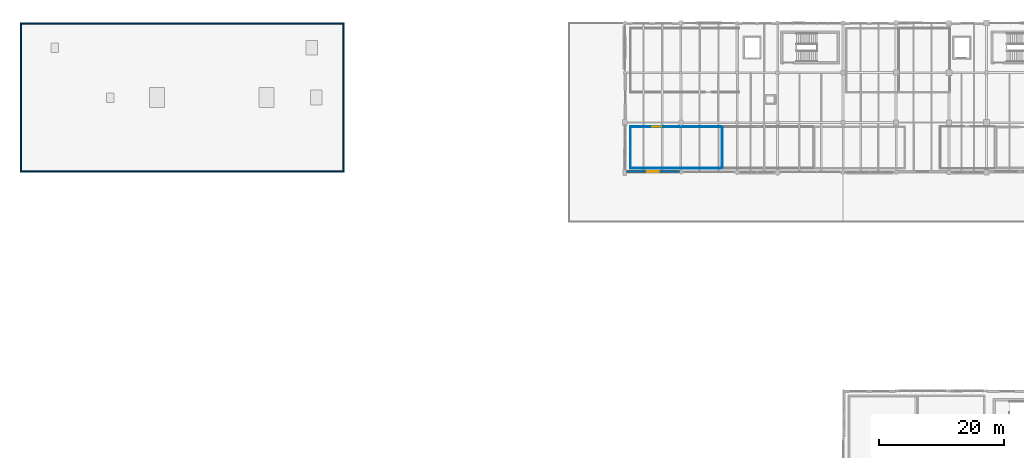
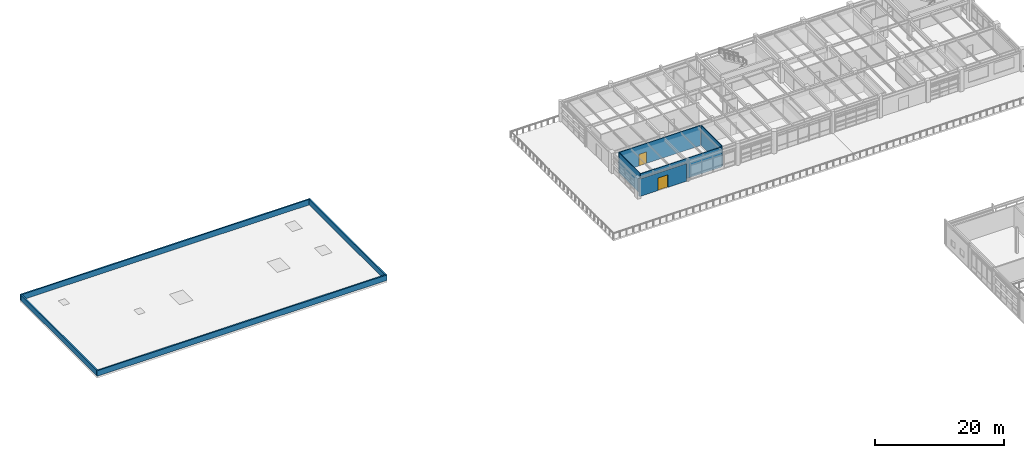
# One storey, part 47 of 56: 9 walls, 2 doors, 2 openings.
"""IFC4 building model written with IfcOpenShell, lengths in metres."""

import ifcopenshell
import ifcopenshell.guid

model = None  # the IFC model being written
_history = None  # IfcOwnerHistory: only IFC2X3 demands one
_inside = {}  # id of a spatial element -> (the spatial element, [elements in it])
_under = {}  # id of a project, library or spatial element -> (it, [spatial elements below it])
_declared = {}  # id of a project -> (the project, [libraries it declares])
_typed = {}  # id of a type object -> (the type object, [elements of that type])
_made_of = {}  # id of a material, layer set ... -> (it, [elements and type objects made of it])


def new_model(schema):
    """Start an empty IFC model of exactly this schema.

    Asked for "IFC4X3", IfcOpenShell would pick the latest addendum, in which some entities
    have other attributes; the version numbers below select the first issue.
    IFC2X3 requires an IfcOwnerHistory on every rooted entity: one is made here for all.
    """
    global model, _history
    if schema == "IFC4X3":
        model = ifcopenshell.file(schema_version=(4, 3, 0, 0))
    else:
        model = ifcopenshell.file(schema=schema)
    _inside.clear()
    _under.clear()
    _declared.clear()
    _typed.clear()
    _made_of.clear()
    _history = None
    if model.schema == "IFC2X3":
        org = make("IfcOrganization", Name="unknown")
        user = make(
            "IfcPersonAndOrganization",
            ThePerson=make("IfcPerson", FamilyName="unknown"),
            TheOrganization=org,
        )
        app = make(
            "IfcApplication",
            ApplicationDeveloper=org,
            Version="unknown",
            ApplicationFullName="unknown",
            ApplicationIdentifier="unknown",
        )
        _history = make(
            "IfcOwnerHistory",
            OwningUser=user,
            OwningApplication=app,
            ChangeAction="ADDED",
            CreationDate=0,
        )
    return model


def make(cls, **values):
    """One entity of the class cls with the attributes given. An attribute that is None is left unset."""
    return model.create_entity(
        cls, **{name: value for name, value in values.items() if value is not None}
    )


def rooted(cls, **values):
    """An entity with a GlobalId (a new one), such as an element, a storey or a relation."""
    return make(cls, GlobalId=ifcopenshell.guid.new(), OwnerHistory=_history, **values)


def si_unit(unit_type, name, prefix=None):
    """IfcSIUnit, for example si_unit("LENGTHUNIT", "METRE", prefix="MILLI")."""
    return make("IfcSIUnit", UnitType=unit_type, Prefix=prefix, Name=name)


def assignment(units):
    """IfcUnitAssignment: the units of a project."""
    return None if units is None else make("IfcUnitAssignment", Units=units)


def point(xyz):
    """IfcCartesianPoint."""
    return None if xyz is None else make("IfcCartesianPoint", Coordinates=xyz)


def direction(xyz):
    """IfcDirection."""
    return None if xyz is None else make("IfcDirection", DirectionRatios=xyz)


def frame(location, z_axis=None, x_axis=None):
    """IfcAxis2Placement3D, a coordinate frame: its origin and axes. An axis left out is left unset."""
    return make(
        "IfcAxis2Placement3D",
        Location=point(location),
        Axis=direction(z_axis),
        RefDirection=direction(x_axis),
    )


def frame_2d(location, x_axis=None):
    """IfcAxis2Placement2D, a coordinate frame in the plane: its origin and x axis."""
    return make(
        "IfcAxis2Placement2D", Location=point(location), RefDirection=direction(x_axis)
    )


def origin():
    """The frame at (0, 0, 0) with its axes left unset."""
    return frame((0.0, 0.0, 0.0))


def place(relative_to, where):
    """IfcLocalPlacement: puts the frame where relative to a parent placement (None: the world)."""
    return make(
        "IfcLocalPlacement", PlacementRelTo=relative_to, RelativePlacement=where
    )


def context(
    kind, dimensions, precision=None, world=None, true_north=None, identifier=None
):
    """IfcGeometricRepresentationContext, for example the 3D "Model" context."""
    return make(
        "IfcGeometricRepresentationContext",
        ContextIdentifier=identifier,
        ContextType=kind,
        CoordinateSpaceDimension=dimensions,
        Precision=precision,
        WorldCoordinateSystem=world,
        TrueNorth=true_north,
    )


def subcontext(parent, identifier, kind, view, scale=None):
    """IfcGeometricRepresentationSubContext, for example "Body" below "Model"."""
    return make(
        "IfcGeometricRepresentationSubContext",
        ContextIdentifier=identifier,
        ContextType=kind,
        ParentContext=parent,
        TargetScale=scale,
        TargetView=view,
    )


def project(units=None, contexts=None):
    """IfcProject with its units and contexts."""
    return rooted(
        "IfcProject",
        Name="project",
        RepresentationContexts=contexts,
        UnitsInContext=assignment(units),
    )


def spatial(cls, under=None, at=None, **own):
    """A site, building, storey or space (cls), placed at a placement, below another one or the project."""
    s = rooted(cls, ObjectPlacement=at, **own)
    if under is not None:
        _under.setdefault(under.id(), (under, []))[1].append(s)
    return s


def profile(cls, at=None, kind="AREA", **sizes):
    """A parametric profile (cls). Its sizes go by their IFC names, for example OverallWidth=200.0."""
    return make(cls, ProfileType=kind, Position=at, **sizes)


def rectangle(**sizes):
    """IfcRectangleProfileDef."""
    return profile("IfcRectangleProfileDef", **sizes)


def extrude(swept, where, along, depth):
    """IfcExtrudedAreaSolid: the profile swept, set in the frame where, extruded along a direction by depth."""
    return make(
        "IfcExtrudedAreaSolid",
        SweptArea=swept,
        Position=where,
        ExtrudedDirection=direction(along),
        Depth=depth,
    )


def shape(context_of_items, identifier, shape_type, items):
    """IfcShapeRepresentation: the items that make up one representation, for example the "Body"."""
    return make(
        "IfcShapeRepresentation",
        ContextOfItems=context_of_items,
        RepresentationIdentifier=identifier,
        RepresentationType=shape_type,
        Items=items,
    )


def material(Name=None, Category=None):
    """IfcMaterial."""
    return make("IfcMaterial", Name=Name, Category=Category)


def layer(
    of_material, thickness, ventilated=None, Name=None, Category=None, Priority=None
):
    """IfcMaterialLayer: one layer of a wall or slab, of a material (None: an air gap)."""
    return make(
        "IfcMaterialLayer",
        Material=of_material,
        LayerThickness=thickness,
        IsVentilated=ventilated,
        Name=Name,
        Category=Category,
        Priority=Priority,
    )


def layer_set(layers, Name=None):
    """IfcMaterialLayerSet."""
    return make("IfcMaterialLayerSet", MaterialLayers=layers, LayerSetName=Name)


def made_of(thing, what):
    """Note that an element or type object is made of a material, layer set ...; save() writes the relation."""
    if what is not None:
        _made_of.setdefault(what.id(), (what, []))[1].append(thing)
    return thing


def type_object(cls, material=None, **own):
    """A type object (cls), such as IfcWallType, which elements share."""
    return made_of(rooted(cls, **own), material)


def element(
    cls,
    number,
    at=None,
    inside=None,
    cuts=None,
    type_object=None,
    material=None,
    context=None,
    identifier="Body",
    shape_type=None,
    held_by="IfcProductDefinitionShape",
    body=None,
    shapes=None,
    **own,
):
    """One element of the class cls, such as IfcWall. Its Tag is "e" and its number.

    at: its placement. inside: the storey or other place that contains it. cuts: it is an
    opening in that element (IfcRelVoidsElement). A single representation is given by context,
    identifier, shape_type and body (its items); several are given by shapes. held_by: the class
    of the entity that holds the representations. save() writes the other relations.
    """
    e = rooted(cls, Tag="e%d" % number, ObjectPlacement=at, **own)
    if body is not None:
        shapes = [shape(context, identifier, shape_type, body)]
    if shapes is not None:
        e.Representation = make(held_by, Representations=shapes)
    if inside is not None:
        _inside.setdefault(inside.id(), (inside, []))[1].append(e)
    if cuts is not None:
        rooted(
            "IfcRelVoidsElement", RelatingBuildingElement=cuts, RelatedOpeningElement=e
        )
    if type_object is not None:
        _typed.setdefault(type_object.id(), (type_object, []))[1].append(e)
    return made_of(e, material)


def fill(opening, filler):
    """IfcRelFillsElement: the door or window that sits in an opening."""
    return rooted(
        "IfcRelFillsElement",
        RelatingOpeningElement=opening,
        RelatedBuildingElement=filler,
    )


def aggregate(whole, parts):
    """IfcRelAggregates: a whole, such as a stair, and the parts it consists of."""
    return rooted("IfcRelAggregates", RelatingObject=whole, RelatedObjects=parts)


def save(model, path):
    """Write the relations noted so far, then the file.

    IfcRelAggregates (storeys below a building ...), IfcRelContainedInSpatialStructure (elements
    in a storey), IfcRelDefinesByType, IfcRelAssociatesMaterial and IfcRelDeclares: one each for
    every whole, place, type object, material and project.
    """
    for whole, parts in _under.values():
        aggregate(whole, parts)
    for where, things in _inside.values():
        rooted(
            "IfcRelContainedInSpatialStructure",
            RelatedElements=things,
            RelatingStructure=where,
        )
    for kind, things in _typed.values():
        rooted("IfcRelDefinesByType", RelatedObjects=things, RelatingType=kind)
    for what, things in _made_of.values():
        rooted("IfcRelAssociatesMaterial", RelatedObjects=things, RelatingMaterial=what)
    for by, libraries in _declared.values():
        rooted("IfcRelDeclares", RelatingContext=by, RelatedDefinitions=libraries)
    model.write(path)


model = new_model("IFC4")

# Units and contexts
model_context = context("Model", 3, precision=1e-05, world=origin(), true_north=direction((0.0, 1.0)))
body_context = subcontext(model_context, "Body", "Model", "MODEL_VIEW")
ifc_project = project(units=[si_unit("LENGTHUNIT", "METRE"), si_unit("AREAUNIT", "SQUARE_METRE"), si_unit("VOLUMEUNIT", "CUBIC_METRE"), si_unit("PLANEANGLEUNIT", "RADIAN"), si_unit("MASSUNIT", "GRAM", prefix="KILO"), si_unit("THERMODYNAMICTEMPERATUREUNIT", "KELVIN"), si_unit("POWERUNIT", "WATT")], contexts=[model_context])

# Site, building, storey
site_placement = place(None, origin())
site = spatial("IfcSite", under=ifc_project, at=site_placement, CompositionType="ELEMENT")
building_placement = place(site_placement, origin())
building = spatial("IfcBuilding", under=site, at=building_placement, Name="Tepalcoro Natatorium and Aquatics Centre", CompositionType="ELEMENT")
storey_placement = place(building_placement, frame((0.0, 0.0, 14.800048828125)))
storey = spatial("IfcBuildingStorey", under=building, at=storey_placement, Name="L03", CompositionType="ELEMENT", Elevation=14.800048828125)

# Wall, opening, door
ifc_material_1 = material(Name="Precast Concrete C45/55 (fc 45 MPa)", Category="concrete")
ifc_layer_1 = layer(ifc_material_1, 0.284912109375)
ifc_layer_set_1 = layer_set([ifc_layer_1], Name="Precast Concrete C45/55 (fc 45 MPa)")
wall_type_1 = type_object("IfcWallType", Name="WL_EXT_INSUL_280", PredefinedType="SOLIDWALL", material=ifc_layer_set_1)
wall_1_placement = place(storey_placement, frame((107.303955078125, 94.142578125, 0.0), z_axis=(0.0, 0.0, 1.0), x_axis=(1.0, 0.0, 0.0)))
wall_1 = element("IfcWall", 1, at=wall_1_placement, inside=storey, type_object=wall_type_1, Name="V5 L03 S Volcanic Basalt Envelope Wall", PredefinedType="SOLIDWALL", context=body_context, shape_type="SweptSolid", body=[
    extrude(rectangle(XDim=8.442138671875, YDim=0.284912109375, at=frame_2d((4.22119140625, 0.0))), origin(), (0.0, 0.0, 1.0), 3.329833984375),
])
opening_1_placement = place(wall_1_placement, frame((3.321044921875, 0.0, 0.0)))
opening_1 = element("IfcOpeningElement", 2, at=opening_1_placement, cuts=wall_1, Name="Opening ED5046", PredefinedType="OPENING", context=body_context, shape_type="SweptSolid", body=[
    extrude(rectangle(XDim=1.800048828125, YDim=2.39990234375, at=frame_2d((0.89990234375, 1.199951171875))), frame((0.0, 0.154296875, 0.0), z_axis=(0.0, -1.0, 0.0), x_axis=(1.0, 0.0, 0.0)), (0.0, 0.0, 1.0), 0.308837890625),
])
ifc_material_2 = material(Name="Bronze-Anodised Extruded Aluminium Alloy EN AW-6063 T6", Category="aluminium")
door_type_1 = type_object("IfcDoorType", Name="DR_180x240_TERR", OperationType="NOTDEFINED", PredefinedType="DOOR", material=ifc_material_2)
door_1_placement = place(opening_1_placement, frame((1.800048828125, 0.0, 0.0), z_axis=(0.0, 0.0, 1.0), x_axis=(-1.0, 0.0, 0.0)))
door_1 = element("IfcDoor", 3, at=door_1_placement, inside=storey, type_object=door_type_1, Name="V5 L03 Spa Terrace Door SW", OperationType="DOUBLE_DOOR_SINGLE_SWING", OverallHeight=2.39990234375, OverallWidth=1.800048828125, PredefinedType="DOOR", context=body_context, shape_type="SweptSolid", body=[
    extrude(rectangle(XDim=1.800048828125, YDim=2.39990234375, at=frame_2d((0.89990234375, 1.199951171875))), frame((0.0, 0.02490234375, 0.0), z_axis=(0.0, -1.0, 0.0), x_axis=(1.0, 0.0, 0.0)), (0.0, 0.0, 1.0), 0.050048828125),
])
fill(opening_1, door_1)

# Walls
ifc_layer_2 = layer(ifc_material_1, 0.25)
ifc_layer_set_2 = layer_set([ifc_layer_2], Name="Precast Concrete C45/55 (fc 45 MPa)")
wall_type_2 = type_object("IfcWallType", Name="WL_PARAPET_250", PredefinedType="PARAPET", material=ifc_layer_set_2)
for number, where, z_axis, x_axis, name in (
    (4, (10.0, 94.125, 0.0), (0.0, 0.0, 1.0), (1.0, 0.0, 0.0), "V4 Maintenance Roof Parapet Upstand S"),
    (5, (10.0, 117.875, 0.0), (0.0, 0.0, 1.0), (1.0, 0.0, 0.0), "V4 Maintenance Roof Parapet Upstand N"),
):
    element("IfcWall", number, at=place(storey_placement, frame(where, z_axis=z_axis, x_axis=x_axis)), inside=storey, type_object=wall_type_2, Name=name, PredefinedType="PARAPET", context=body_context, shape_type="SweptSolid", body=[
        extrude(rectangle(XDim=52.0, YDim=0.25, at=frame_2d((26.0, 0.0))), origin(), (0.0, 0.0, 1.0), 1.050048828125),
    ])
for number, where, z_axis, x_axis, name in (
    (6, (10.125, 94.25, 0.0), (0.0, 0.0, 1.0), (0.0, 1.0, 0.0), "V4 Maintenance Roof Parapet Upstand W"),
    (7, (61.875, 94.25, 0.0), (0.0, 0.0, 1.0), (0.0, 1.0, 0.0), "V4 Maintenance Roof Parapet Upstand E"),
):
    element("IfcWall", number, at=place(storey_placement, frame(where, z_axis=z_axis, x_axis=x_axis)), inside=storey, type_object=wall_type_2, Name=name, PredefinedType="PARAPET", context=body_context, shape_type="SweptSolid", body=[
        extrude(rectangle(XDim=23.5, YDim=0.25, at=frame_2d((11.75, 0.0))), origin(), (0.0, 0.0, 1.0), 1.050048828125),
    ])
ifc_material_3 = material(Name="Moisture-Resistant Acoustic Gypsum Drywall on Cold-Formed Metal Studs")
ifc_layer_3 = layer(ifc_material_3, 0.125)
ifc_layer_set_3 = layer_set([ifc_layer_3], Name="Moisture-Resistant Acoustic Gypsum Drywall on Cold-Formed Metal Studs")
wall_type_3 = type_object("IfcWallType", Name="WL_PART_125", PredefinedType="PARTITIONING", material=ifc_layer_set_3)
wall_2_placement = place(storey_placement, frame((107.840087890625, 94.66259765625, 0.0), z_axis=(0.0, 0.0, 1.0), x_axis=(1.0, 0.0, 0.0)))
element("IfcWall", 8, at=wall_2_placement, inside=storey, type_object=wall_type_3, Name="Panorama Thermal Solarium & Rooftop Spa Lounge Partition S", PredefinedType="PARTITIONING", context=body_context, shape_type="SweptSolid", body=[
    extrude(rectangle(XDim=14.65283203125, YDim=0.125, at=frame_2d((7.326416015625, 0.0))), origin(), (0.0, 0.0, 1.0), 3.804931640625),
])

# Wall, opening, door
wall_3_placement = place(storey_placement, frame((107.840087890625, 101.33740234375, 0.0), z_axis=(0.0, 0.0, 1.0), x_axis=(1.0, 0.0, 0.0)))
wall_3 = element("IfcWall", 9, at=wall_3_placement, inside=storey, type_object=wall_type_3, Name="Panorama Thermal Solarium & Rooftop Spa Lounge Partition N", PredefinedType="PARTITIONING", context=body_context, shape_type="SweptSolid", body=[
    extrude(rectangle(XDim=14.65283203125, YDim=0.125, at=frame_2d((7.326416015625, 0.0))), origin(), (0.0, 0.0, 1.0), 3.804931640625),
])
opening_2_placement = place(wall_3_placement, frame((3.588134765625, 0.0, 0.0)))
opening_2 = element("IfcOpeningElement", 10, at=opening_2_placement, cuts=wall_3, Name="Opening D0182", PredefinedType="OPENING", context=body_context, shape_type="SweptSolid", body=[
    extrude(rectangle(XDim=1.39990234375, YDim=2.199951171875, at=frame_2d((0.699951171875, 1.10009765625))), frame((0.0, 0.074462890625, 0.0), z_axis=(0.0, -1.0, 0.0), x_axis=(1.0, 0.0, 0.0)), (0.0, 0.0, 1.0), 0.14892578125),
])
ifc_material_4 = material(Name="Solid-Core Moisture-Sealed Oak Timber Leaf in Aluminium Frame", Category="wood")
door_type_2 = type_object("IfcDoorType", Name="DR_140x220_TEAM", OperationType="NOTDEFINED", PredefinedType="DOOR", material=ifc_material_4)
door_2_placement = place(opening_2_placement, frame((1.39990234375, 0.0, 0.0), z_axis=(0.0, 0.0, 1.0), x_axis=(-1.0, 0.0, 0.0)))
door_2 = element("IfcDoor", 11, at=door_2_placement, inside=storey, type_object=door_type_2, Name="Panorama Thermal Solarium & Rooftop Spa Lounge Door", OperationType="DOUBLE_DOOR_SINGLE_SWING", OverallHeight=2.199951171875, OverallWidth=1.39990234375, PredefinedType="DOOR", context=body_context, shape_type="SweptSolid", body=[
    extrude(rectangle(XDim=1.39990234375, YDim=2.199951171875, at=frame_2d((0.699951171875, 1.10009765625))), frame((0.0, 0.02490234375, 0.0), z_axis=(0.0, -1.0, 0.0), x_axis=(1.0, 0.0, 0.0)), (0.0, 0.0, 1.0), 0.050048828125),
])
fill(opening_2, door_2)

# Walls
wall_4_placement = place(storey_placement, frame((107.902587890625, 94.72509765625, 0.0), z_axis=(0.0, 0.0, 1.0), x_axis=(0.0, 1.0, 0.0)))
element("IfcWall", 12, at=wall_4_placement, inside=storey, type_object=wall_type_3, Name="Panorama Thermal Solarium & Rooftop Spa Lounge Partition W", PredefinedType="PARTITIONING", context=body_context, shape_type="SweptSolid", body=[
    extrude(rectangle(XDim=6.5498046875, YDim=0.125, at=frame_2d((3.27490234375, 0.0))), origin(), (0.0, 0.0, 1.0), 3.804931640625),
])
ifc_layer_4 = layer(ifc_material_3, 0.14990234375)
ifc_layer_set_4 = layer_set([ifc_layer_4], Name="Moisture-Resistant Acoustic Gypsum Drywall on Cold-Formed Metal Studs")
wall_type_4 = type_object("IfcWallType", Name="WL_PART_150_AC", PredefinedType="PARTITIONING", material=ifc_layer_set_4)
wall_5_placement = place(storey_placement, frame((122.64794921875, 94.75, 0.0), z_axis=(0.0, 0.0, 1.0), x_axis=(0.0, 1.0, 0.0)))
element("IfcWall", 13, at=wall_5_placement, inside=storey, type_object=wall_type_4, Name="Hypoxic Altitude Simulation Training Chamber Partition W", PredefinedType="PARTITIONING", context=body_context, shape_type="SweptSolid", body=[
    extrude(rectangle(XDim=6.5, YDim=0.14990234375, at=frame_2d((3.25, 0.0))), origin(), (0.0, 0.0, 1.0), 3.804931640625),
])

save(model, "model.ifc")
